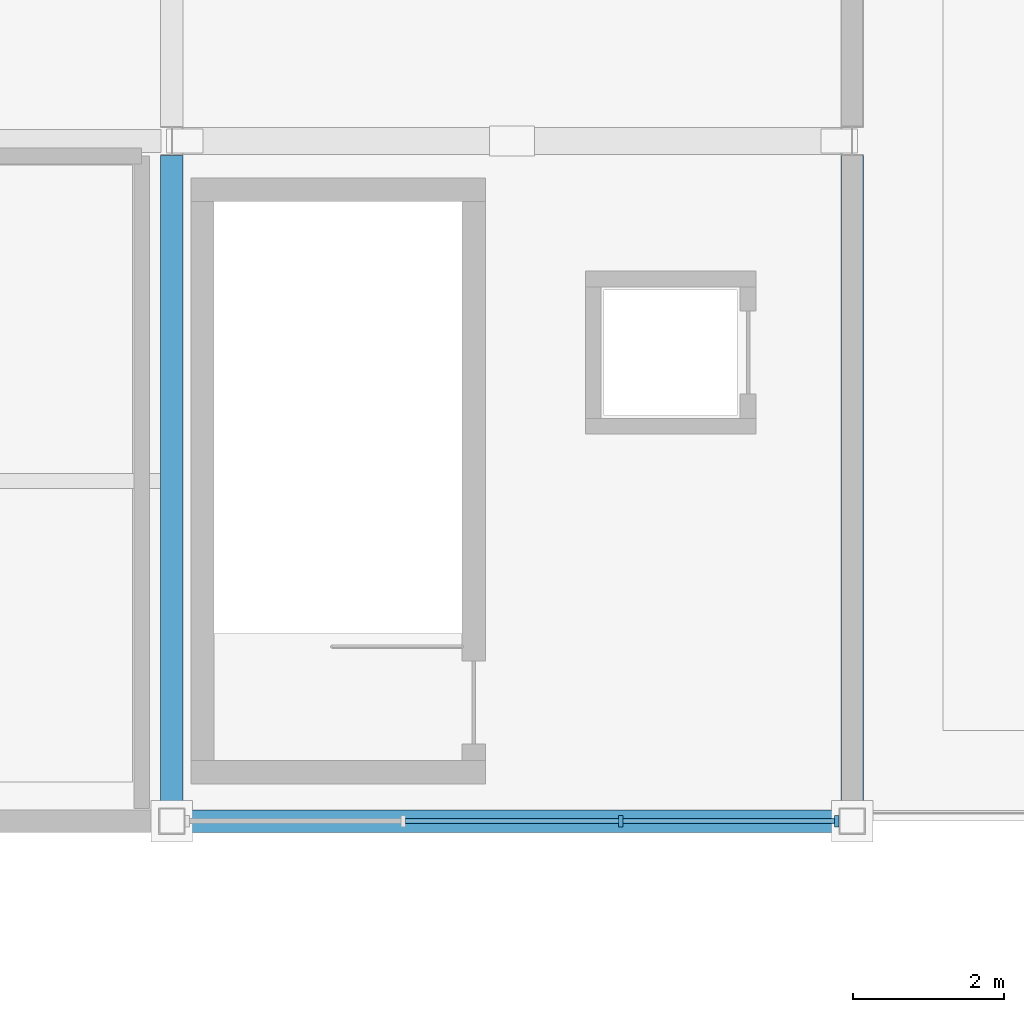
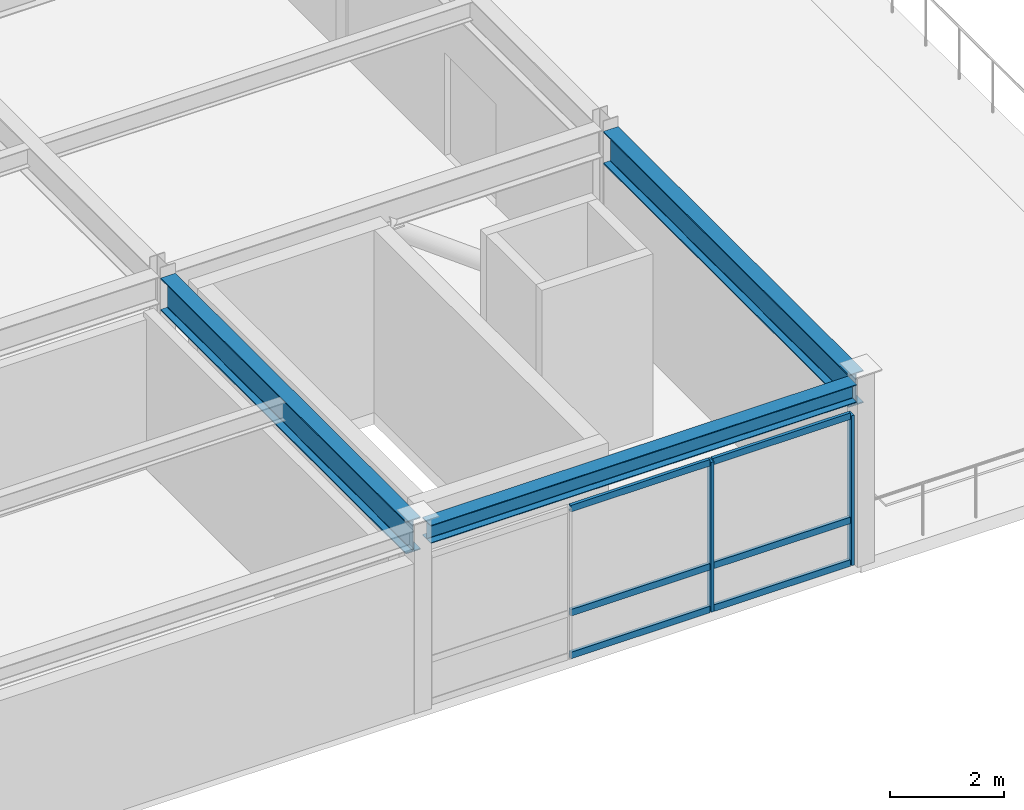
# One storey, part 11 of 40: 8 members, 3 beams, 1 element without a shape of its own.
"""IFC4 building model written with IfcOpenShell, lengths in metres."""

from ifc_helpers import new_model, si_unit, direction, frame, origin, origin_2d, place, context, subcontext, project, spatial, rectangle, i_section, extrude, material, material_profile, profile_set, type_object, element, aggregate, save


model = new_model("IFC4")

# Units and contexts
model_context = context("Model", 3, precision=1e-05, world=origin(), true_north=direction((0.0, 1.0)))
body_context = subcontext(model_context, "Body", "Model", "MODEL_VIEW")
ifc_project = project(units=[si_unit("LENGTHUNIT", "METRE"), si_unit("AREAUNIT", "SQUARE_METRE"), si_unit("VOLUMEUNIT", "CUBIC_METRE"), si_unit("PLANEANGLEUNIT", "RADIAN"), si_unit("MASSUNIT", "GRAM", prefix="KILO")], contexts=[model_context])

# Site, building, storey
site_placement = place(None, origin())
site = spatial("IfcSite", under=ifc_project, at=site_placement, CompositionType="ELEMENT")
building_placement = place(site_placement, origin())
building = spatial("IfcBuilding", under=site, at=building_placement, Name="Suzunagisa Mobility Hub", CompositionType="ELEMENT")
storey_placement = place(building_placement, frame((0.0, 0.0, 21.89990234375)))
storey = spatial("IfcBuildingStorey", under=building, at=storey_placement, Name="L05", CompositionType="ELEMENT", Elevation=21.89990234375)

# Curtain wall, members
ifc_material_1 = material(Name="Thermally Broken Anodized Aluminum and Low-E Glazing", Category="aluminium")
curtain_wall_type = type_object("IfcCurtainWallType", Name="Unitised Curtain Wall CW-13 8750x3200", PredefinedType="USERDEFINED", material=ifc_material_1)
curtain_wall_placement = place(storey_placement, origin())
curtain_wall = element("IfcCurtainWall", 1, at=curtain_wall_placement, inside=storey, type_object=curtain_wall_type, Name="L05 Unitised Curtain Wall CW-136", ObjectType="UNITISED CURTAIN WALL", PredefinedType="USERDEFINED")
ifc_material_2 = material(Name="Anodized Aluminum 6063-T6", Category="aluminium")
ifc_material_profile_1 = material_profile(ifc_material_2, rectangle(XDim=0.06494140625, YDim=0.139892578125, at=origin_2d()), Name="TRAN-65x140")
ifc_profile_set_1 = profile_set([ifc_material_profile_1], Name="Anodized Aluminum 6063-T6")
member_type_1 = type_object("IfcMemberType", Name="Curtain Wall Framing CM-01 TRAN-65x140", PredefinedType="USERDEFINED", material=ifc_profile_set_1)
member_1_placement = place(storey_placement, frame((93.086181640625, 80.0, 0.03271484375), z_axis=(1.0, 0.0, 0.0), x_axis=(0.0, 1.0, 0.0)))
member_1 = element("IfcMember", 2, at=member_1_placement, type_object=member_type_1, Name="Curtain Wall Transom 136-T2.1", ObjectType="TRANSOM", PredefinedType="USERDEFINED", context=body_context, shape_type="SweptSolid", body=[
    extrude(rectangle(XDim=0.06494140625, YDim=0.139892578125, at=origin_2d()), origin(), (0.0, 0.0, 1.0), 2.82763671875),
])
member_2_placement = place(storey_placement, frame((93.086181640625, 80.0, 0.9501953125), z_axis=(1.0, 0.0, 0.0), x_axis=(0.0, 1.0, 0.0)))
member_2 = element("IfcMember", 3, at=member_2_placement, type_object=member_type_1, Name="Curtain Wall Transom 136-T2.2", ObjectType="TRANSOM", PredefinedType="USERDEFINED", context=body_context, shape_type="SweptSolid", body=[
    extrude(rectangle(XDim=0.06494140625, YDim=0.139892578125, at=origin_2d()), origin(), (0.0, 0.0, 1.0), 2.82763671875),
])
member_3_placement = place(storey_placement, frame((93.086181640625, 80.0, 3.1875), z_axis=(1.0, 0.0, 0.0), x_axis=(0.0, 1.0, 0.0)))
member_3 = element("IfcMember", 4, at=member_3_placement, type_object=member_type_1, Name="Curtain Wall Transom 136-T2.3", ObjectType="TRANSOM", PredefinedType="USERDEFINED", context=body_context, shape_type="SweptSolid", body=[
    extrude(rectangle(XDim=0.06494140625, YDim=0.139892578125, at=origin_2d()), origin(), (0.0, 0.0, 1.0), 2.82763671875),
])
member_4_placement = place(storey_placement, frame((95.9697265625, 80.0, 0.03271484375), z_axis=(1.0, 0.0, 0.0), x_axis=(0.0, 1.0, 0.0)))
member_4 = element("IfcMember", 5, at=member_4_placement, type_object=member_type_1, Name="Curtain Wall Transom 136-T3.1", ObjectType="TRANSOM", PredefinedType="USERDEFINED", context=body_context, shape_type="SweptSolid", body=[
    extrude(rectangle(XDim=0.06494140625, YDim=0.139892578125, at=origin_2d()), origin(), (0.0, 0.0, 1.0), 2.79736328125),
])
member_5_placement = place(storey_placement, frame((95.9697265625, 80.0, 0.9501953125), z_axis=(1.0, 0.0, 0.0), x_axis=(0.0, 1.0, 0.0)))
member_5 = element("IfcMember", 6, at=member_5_placement, type_object=member_type_1, Name="Curtain Wall Transom 136-T3.2", ObjectType="TRANSOM", PredefinedType="USERDEFINED", context=body_context, shape_type="SweptSolid", body=[
    extrude(rectangle(XDim=0.06494140625, YDim=0.139892578125, at=origin_2d()), origin(), (0.0, 0.0, 1.0), 2.79736328125),
])
member_6_placement = place(storey_placement, frame((95.9697265625, 80.0, 3.1875), z_axis=(1.0, 0.0, 0.0), x_axis=(0.0, 1.0, 0.0)))
member_6 = element("IfcMember", 7, at=member_6_placement, type_object=member_type_1, Name="Curtain Wall Transom 136-T3.3", ObjectType="TRANSOM", PredefinedType="USERDEFINED", context=body_context, shape_type="SweptSolid", body=[
    extrude(rectangle(XDim=0.06494140625, YDim=0.139892578125, at=origin_2d()), origin(), (0.0, 0.0, 1.0), 2.79736328125),
])
ifc_material_profile_2 = material_profile(ifc_material_2, rectangle(XDim=0.06005859375, YDim=0.14990234375, at=origin_2d()), Name="MULL-60x150")
ifc_profile_set_2 = profile_set([ifc_material_profile_2], Name="Anodized Aluminum 6063-T6")
member_type_2 = type_object("IfcMemberType", Name="Curtain Wall Framing CM-03 MULL-60x150", PredefinedType="MULLION", material=ifc_profile_set_2)
member_7_placement = place(storey_placement, frame((95.941650390625, 80.0, 0.0), z_axis=(0.0, 0.0, 1.0), x_axis=(1.0, 0.0, 0.0)))
member_7 = element("IfcMember", 8, at=member_7_placement, type_object=member_type_2, Name="Curtain Wall Mullion 136-M3", PredefinedType="MULLION", context=body_context, shape_type="SweptSolid", body=[
    extrude(rectangle(XDim=0.06005859375, YDim=0.14990234375, at=origin_2d()), origin(), (0.0, 0.0, 1.0), 3.22021484375),
])
member_8_placement = place(storey_placement, frame((98.794921875, 80.0, 0.0), z_axis=(0.0, 0.0, 1.0), x_axis=(1.0, 0.0, 0.0)))
member_8 = element("IfcMember", 9, at=member_8_placement, type_object=member_type_2, Name="Curtain Wall Mullion 136-M4", PredefinedType="MULLION", context=body_context, shape_type="SweptSolid", body=[
    extrude(rectangle(XDim=0.06005859375, YDim=0.14990234375, at=origin_2d()), origin(), (0.0, 0.0, 1.0), 3.22021484375),
])
aggregate(curtain_wall, [member_7, member_8, member_1, member_2, member_3, member_4, member_5, member_6])

# Beams
ifc_material_3 = material(Name="Steel SN490B", Category="steel")
ifc_material_profile_3 = material_profile(ifc_material_3, i_section(OverallWidth=0.300048828125, OverallDepth=0.699951171875, WebThickness=0.012939453125, FlangeThickness=0.02392578125, FilletRadius=0.01806640625, at=origin_2d()), Name="H-700x300x13x24")
ifc_profile_set_3 = profile_set([ifc_material_profile_3], Name="Steel SN490B")
beam_type_1 = type_object("IfcBeamType", Name="Steel Beam BM-11 H-700x300x13x24", PredefinedType="BEAM", material=ifc_profile_set_3)
for number, where, z_axis, x_axis, name in (
    (10, (90.0, 80.1708984375, 3.570068359375), (0.0, 1.0, 0.0), (-1.0, 0.0, 0.0), "L05 Primary Girder GY-1279"),
    (11, (99.0, 80.1708984375, 3.570068359375), (0.0, 1.0, 0.0), (-1.0, 0.0, 0.0), "L05 Primary Girder GY-1283"),
):
    element("IfcBeam", number, at=place(storey_placement, frame(where, z_axis=z_axis, x_axis=x_axis)), inside=storey, type_object=beam_type_1, Name=name, PredefinedType="BEAM", context=body_context, shape_type="SweptSolid", body=[
        extrude(i_section(OverallWidth=0.300048828125, OverallDepth=0.699951171875, WebThickness=0.012939453125, FlangeThickness=0.02392578125, FilletRadius=0.01806640625, at=origin_2d()), origin(), (0.0, 0.0, 1.0), 8.63818359375),
    ])
ifc_material_profile_4 = material_profile(ifc_material_3, i_section(OverallWidth=0.300048828125, OverallDepth=0.389892578125, WebThickness=0.010009765625, FlangeThickness=0.01611328125, FilletRadius=0.012939453125, at=origin_2d()), Name="H-390x300x10x16")
ifc_profile_set_4 = profile_set([ifc_material_profile_4], Name="Steel SN490B")
beam_type_2 = type_object("IfcBeamType", Name="Steel Beam BM-13 H-390x300x10x16", PredefinedType="SPANDREL", material=ifc_profile_set_4)
beam_placement = place(storey_placement, frame((90.1708984375, 80.0, 3.72509765625), z_axis=(1.0, 0.0, 0.0), x_axis=(0.0, 1.0, 0.0)))
element("IfcBeam", 12, at=beam_placement, inside=storey, type_object=beam_type_2, Name="L05 Primary Girder GX-1252", PredefinedType="SPANDREL", context=body_context, shape_type="SweptSolid", body=[
    extrude(i_section(OverallWidth=0.300048828125, OverallDepth=0.389892578125, WebThickness=0.010009765625, FlangeThickness=0.01611328125, FilletRadius=0.012939453125, at=origin_2d()), origin(), (0.0, 0.0, 1.0), 8.658203125),
])

save(model, "model.ifc")
